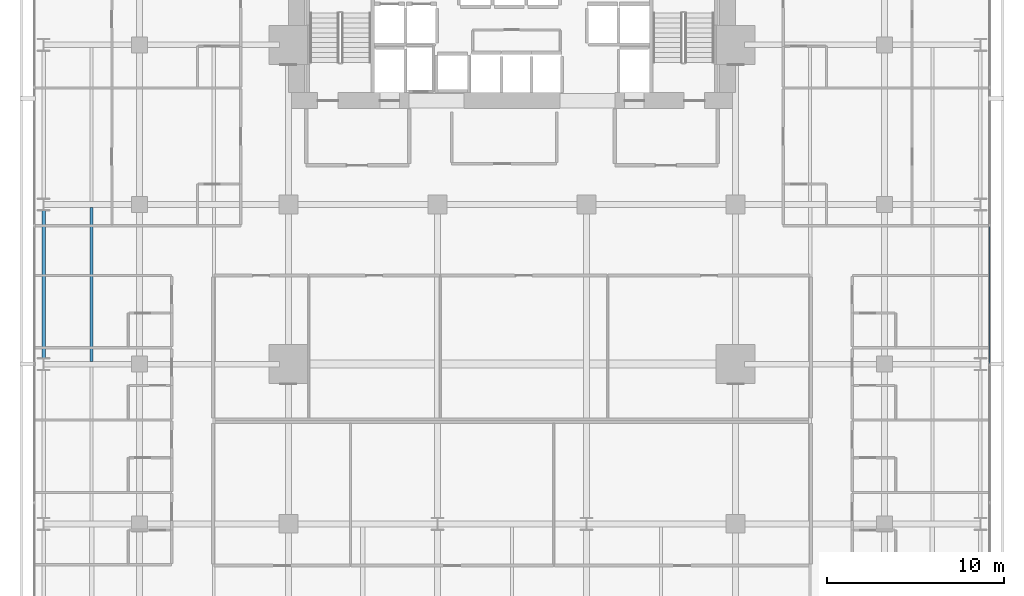
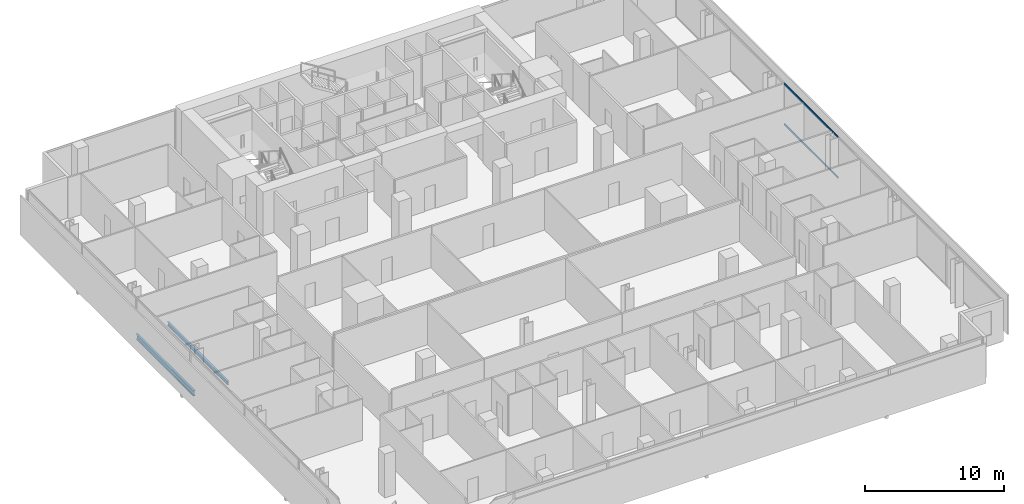
# One storey, part 20 of 40: 2 beams, 2 members, 1 element without a shape of its own.
"""IFC4 building model written with IfcOpenShell, lengths in metres."""

import ifcopenshell
import ifcopenshell.guid

model = None  # the IFC model being written
_history = None  # IfcOwnerHistory: only IFC2X3 demands one
_inside = {}  # id of a spatial element -> (the spatial element, [elements in it])
_under = {}  # id of a project, library or spatial element -> (it, [spatial elements below it])
_declared = {}  # id of a project -> (the project, [libraries it declares])
_typed = {}  # id of a type object -> (the type object, [elements of that type])
_made_of = {}  # id of a material, layer set ... -> (it, [elements and type objects made of it])


def new_model(schema):
    """Start an empty IFC model of exactly this schema.

    Asked for "IFC4X3", IfcOpenShell would pick the latest addendum, in which some entities
    have other attributes; the version numbers below select the first issue.
    IFC2X3 requires an IfcOwnerHistory on every rooted entity: one is made here for all.
    """
    global model, _history
    if schema == "IFC4X3":
        model = ifcopenshell.file(schema_version=(4, 3, 0, 0))
    else:
        model = ifcopenshell.file(schema=schema)
    _inside.clear()
    _under.clear()
    _declared.clear()
    _typed.clear()
    _made_of.clear()
    _history = None
    if model.schema == "IFC2X3":
        org = make("IfcOrganization", Name="unknown")
        user = make(
            "IfcPersonAndOrganization",
            ThePerson=make("IfcPerson", FamilyName="unknown"),
            TheOrganization=org,
        )
        app = make(
            "IfcApplication",
            ApplicationDeveloper=org,
            Version="unknown",
            ApplicationFullName="unknown",
            ApplicationIdentifier="unknown",
        )
        _history = make(
            "IfcOwnerHistory",
            OwningUser=user,
            OwningApplication=app,
            ChangeAction="ADDED",
            CreationDate=0,
        )
    return model


def make(cls, **values):
    """One entity of the class cls with the attributes given. An attribute that is None is left unset."""
    return model.create_entity(
        cls, **{name: value for name, value in values.items() if value is not None}
    )


def rooted(cls, **values):
    """An entity with a GlobalId (a new one), such as an element, a storey or a relation."""
    return make(cls, GlobalId=ifcopenshell.guid.new(), OwnerHistory=_history, **values)


def si_unit(unit_type, name, prefix=None):
    """IfcSIUnit, for example si_unit("LENGTHUNIT", "METRE", prefix="MILLI")."""
    return make("IfcSIUnit", UnitType=unit_type, Prefix=prefix, Name=name)


def assignment(units):
    """IfcUnitAssignment: the units of a project."""
    return None if units is None else make("IfcUnitAssignment", Units=units)


def point(xyz):
    """IfcCartesianPoint."""
    return None if xyz is None else make("IfcCartesianPoint", Coordinates=xyz)


def direction(xyz):
    """IfcDirection."""
    return None if xyz is None else make("IfcDirection", DirectionRatios=xyz)


def frame(location, z_axis=None, x_axis=None):
    """IfcAxis2Placement3D, a coordinate frame: its origin and axes. An axis left out is left unset."""
    return make(
        "IfcAxis2Placement3D",
        Location=point(location),
        Axis=direction(z_axis),
        RefDirection=direction(x_axis),
    )


def frame_2d(location, x_axis=None):
    """IfcAxis2Placement2D, a coordinate frame in the plane: its origin and x axis."""
    return make(
        "IfcAxis2Placement2D", Location=point(location), RefDirection=direction(x_axis)
    )


def origin():
    """The frame at (0, 0, 0) with its axes left unset."""
    return frame((0.0, 0.0, 0.0))


def origin_2d():
    """The frame at (0, 0) in the plane with its x axis left unset."""
    return frame_2d((0.0, 0.0))


def place(relative_to, where):
    """IfcLocalPlacement: puts the frame where relative to a parent placement (None: the world)."""
    return make(
        "IfcLocalPlacement", PlacementRelTo=relative_to, RelativePlacement=where
    )


def context(
    kind, dimensions, precision=None, world=None, true_north=None, identifier=None
):
    """IfcGeometricRepresentationContext, for example the 3D "Model" context."""
    return make(
        "IfcGeometricRepresentationContext",
        ContextIdentifier=identifier,
        ContextType=kind,
        CoordinateSpaceDimension=dimensions,
        Precision=precision,
        WorldCoordinateSystem=world,
        TrueNorth=true_north,
    )


def subcontext(parent, identifier, kind, view, scale=None):
    """IfcGeometricRepresentationSubContext, for example "Body" below "Model"."""
    return make(
        "IfcGeometricRepresentationSubContext",
        ContextIdentifier=identifier,
        ContextType=kind,
        ParentContext=parent,
        TargetScale=scale,
        TargetView=view,
    )


def project(units=None, contexts=None):
    """IfcProject with its units and contexts."""
    return rooted(
        "IfcProject",
        Name="project",
        RepresentationContexts=contexts,
        UnitsInContext=assignment(units),
    )


def spatial(cls, under=None, at=None, **own):
    """A site, building, storey or space (cls), placed at a placement, below another one or the project."""
    s = rooted(cls, ObjectPlacement=at, **own)
    if under is not None:
        _under.setdefault(under.id(), (under, []))[1].append(s)
    return s


def profile(cls, at=None, kind="AREA", **sizes):
    """A parametric profile (cls). Its sizes go by their IFC names, for example OverallWidth=200.0."""
    return make(cls, ProfileType=kind, Position=at, **sizes)


def hollow_rectangle(**sizes):
    """IfcRectangleHollowProfileDef."""
    return profile("IfcRectangleHollowProfileDef", **sizes)


def i_section(**sizes):
    """IfcIShapeProfileDef."""
    return profile("IfcIShapeProfileDef", **sizes)


def extrude(swept, where, along, depth):
    """IfcExtrudedAreaSolid: the profile swept, set in the frame where, extruded along a direction by depth."""
    return make(
        "IfcExtrudedAreaSolid",
        SweptArea=swept,
        Position=where,
        ExtrudedDirection=direction(along),
        Depth=depth,
    )


def shape(context_of_items, identifier, shape_type, items):
    """IfcShapeRepresentation: the items that make up one representation, for example the "Body"."""
    return make(
        "IfcShapeRepresentation",
        ContextOfItems=context_of_items,
        RepresentationIdentifier=identifier,
        RepresentationType=shape_type,
        Items=items,
    )


def material(Name=None, Category=None):
    """IfcMaterial."""
    return make("IfcMaterial", Name=Name, Category=Category)


def layer(
    of_material, thickness, ventilated=None, Name=None, Category=None, Priority=None
):
    """IfcMaterialLayer: one layer of a wall or slab, of a material (None: an air gap)."""
    return make(
        "IfcMaterialLayer",
        Material=of_material,
        LayerThickness=thickness,
        IsVentilated=ventilated,
        Name=Name,
        Category=Category,
        Priority=Priority,
    )


def layer_set(layers, Name=None):
    """IfcMaterialLayerSet."""
    return make("IfcMaterialLayerSet", MaterialLayers=layers, LayerSetName=Name)


def material_profile(
    of_material, cross_section, Name=None, Category=None, Priority=None
):
    """IfcMaterialProfile: a cross section and its material."""
    return make(
        "IfcMaterialProfile",
        Name=Name,
        Material=of_material,
        Profile=cross_section,
        Priority=Priority,
        Category=Category,
    )


def profile_set(profiles, Name=None, composite=None):
    """IfcMaterialProfileSet."""
    return make(
        "IfcMaterialProfileSet",
        Name=Name,
        MaterialProfiles=profiles,
        CompositeProfile=composite,
    )


def made_of(thing, what):
    """Note that an element or type object is made of a material, layer set ...; save() writes the relation."""
    if what is not None:
        _made_of.setdefault(what.id(), (what, []))[1].append(thing)
    return thing


def type_object(cls, material=None, **own):
    """A type object (cls), such as IfcWallType, which elements share."""
    return made_of(rooted(cls, **own), material)


def element(
    cls,
    number,
    at=None,
    inside=None,
    cuts=None,
    type_object=None,
    material=None,
    context=None,
    identifier="Body",
    shape_type=None,
    held_by="IfcProductDefinitionShape",
    body=None,
    shapes=None,
    **own,
):
    """One element of the class cls, such as IfcWall. Its Tag is "e" and its number.

    at: its placement. inside: the storey or other place that contains it. cuts: it is an
    opening in that element (IfcRelVoidsElement). A single representation is given by context,
    identifier, shape_type and body (its items); several are given by shapes. held_by: the class
    of the entity that holds the representations. save() writes the other relations.
    """
    e = rooted(cls, Tag="e%d" % number, ObjectPlacement=at, **own)
    if body is not None:
        shapes = [shape(context, identifier, shape_type, body)]
    if shapes is not None:
        e.Representation = make(held_by, Representations=shapes)
    if inside is not None:
        _inside.setdefault(inside.id(), (inside, []))[1].append(e)
    if cuts is not None:
        rooted(
            "IfcRelVoidsElement", RelatingBuildingElement=cuts, RelatedOpeningElement=e
        )
    if type_object is not None:
        _typed.setdefault(type_object.id(), (type_object, []))[1].append(e)
    return made_of(e, material)


def aggregate(whole, parts):
    """IfcRelAggregates: a whole, such as a stair, and the parts it consists of."""
    return rooted("IfcRelAggregates", RelatingObject=whole, RelatedObjects=parts)


def save(model, path):
    """Write the relations noted so far, then the file.

    IfcRelAggregates (storeys below a building ...), IfcRelContainedInSpatialStructure (elements
    in a storey), IfcRelDefinesByType, IfcRelAssociatesMaterial and IfcRelDeclares: one each for
    every whole, place, type object, material and project.
    """
    for whole, parts in _under.values():
        aggregate(whole, parts)
    for where, things in _inside.values():
        rooted(
            "IfcRelContainedInSpatialStructure",
            RelatedElements=things,
            RelatingStructure=where,
        )
    for kind, things in _typed.values():
        rooted("IfcRelDefinesByType", RelatedObjects=things, RelatingType=kind)
    for what, things in _made_of.values():
        rooted("IfcRelAssociatesMaterial", RelatedObjects=things, RelatingMaterial=what)
    for by, libraries in _declared.values():
        rooted("IfcRelDeclares", RelatingContext=by, RelatedDefinitions=libraries)
    model.write(path)


model = new_model("IFC4")

# Units and contexts
model_context = context("Model", 3, precision=1e-05, world=origin(), true_north=direction((0.0, 1.0)))
body_context = subcontext(model_context, "Body", "Model", "MODEL_VIEW")
ifc_project = project(units=[si_unit("LENGTHUNIT", "METRE"), si_unit("AREAUNIT", "SQUARE_METRE"), si_unit("VOLUMEUNIT", "CUBIC_METRE"), si_unit("PLANEANGLEUNIT", "RADIAN"), si_unit("MASSUNIT", "GRAM", prefix="KILO")], contexts=[model_context])

# Site, building, storey
site_placement = place(None, origin())
site = spatial("IfcSite", under=ifc_project, at=site_placement, CompositionType="ELEMENT")
building_placement = place(site_placement, origin())
building = spatial("IfcBuilding", under=site, at=building_placement, Name="Maruvema Waterfront Hotel and Observation Tower", CompositionType="ELEMENT")
storey_placement = place(building_placement, frame((0.0, 0.0, 53.89990234375)))
storey = spatial("IfcBuildingStorey", under=building, at=storey_placement, Name="L12", CompositionType="ELEMENT", Elevation=53.89990234375)

# Curtain wall, members
ifc_material_1 = material(Name="Anodised bronze aluminium and solar-control low-E IGU", Category="aluminium")
ifc_layer = layer(ifc_material_1, 0.159912109375, Name="Zone 1 Bronze Inner Thermal Curtain Wall System CW-02")
ifc_layer_set = layer_set([ifc_layer], Name="Anodised bronze aluminium and solar-control low-E IGU")
curtain_wall_type = type_object("IfcCurtainWallType", Name="Zone 1 Bronze Inner Thermal Curtain Wall System CW-02", PredefinedType="USERDEFINED", material=ifc_layer_set)
curtain_wall_placement = place(storey_placement, origin())
curtain_wall = element("IfcCurtainWall", 1, at=curtain_wall_placement, inside=storey, type_object=curtain_wall_type, Name="L12 Curtain Wall CW-L12-E", ObjectType="UNITISED CURTAIN WALL", PredefinedType="USERDEFINED")
ifc_material_2 = material(Name="Anodised architectural bronze aluminium", Category="aluminium")
ifc_material_profile_1 = material_profile(ifc_material_2, hollow_rectangle(XDim=0.070068359375, YDim=0.14990234375, WallThickness=0.00390625, at=origin_2d()), Name="ALU-T70x150")
ifc_profile_set_1 = profile_set([ifc_material_profile_1], Name="Anodised architectural bronze aluminium")
member_type = type_object("IfcMemberType", Name="Curtain Wall Horizontal Transom ALU-T70x150", PredefinedType="USERDEFINED", material=ifc_profile_set_1)
member_1_placement = place(storey_placement, frame((64.719970703125, 27.030029296875, 0.030029296875), z_axis=(0.0, 1.0, 0.0), x_axis=(-1.0, 0.0, 0.0)))
member_1 = element("IfcMember", 2, at=member_1_placement, type_object=member_type, Name="CW-02 transom 4.1", ObjectType="TRANSOM", PredefinedType="USERDEFINED", context=body_context, shape_type="SweptSolid", body=[
    extrude(hollow_rectangle(XDim=0.070068359375, YDim=0.14990234375, WallThickness=0.00390625, at=origin_2d()), origin(), (0.0, 0.0, 1.0), 7.739990234375),
])
member_2_placement = place(storey_placement, frame((64.719970703125, 27.030029296875, 3.580078125), z_axis=(0.0, 1.0, 0.0), x_axis=(-1.0, 0.0, 0.0)))
member_2 = element("IfcMember", 3, at=member_2_placement, type_object=member_type, Name="CW-02 transom 4.2", ObjectType="TRANSOM", PredefinedType="USERDEFINED", context=body_context, shape_type="SweptSolid", body=[
    extrude(hollow_rectangle(XDim=0.070068359375, YDim=0.14990234375, WallThickness=0.00390625, at=origin_2d()), origin(), (0.0, 0.0, 1.0), 7.739990234375),
])
aggregate(curtain_wall, [member_1, member_2])

# Beams
ifc_material_3 = material(Name="Steel ASTM A572 Grade 50", Category="steel")
ifc_material_profile_2 = material_profile(ifc_material_3, i_section(OverallWidth=0.18994140625, OverallDepth=0.45703125, WebThickness=0.009033203125, FlangeThickness=0.014404296875, FilletRadius=0.014892578125, at=origin_2d()), Name="W460x74.0")
ifc_profile_set_2 = profile_set([ifc_material_profile_2], Name="Steel ASTM A572 Grade 50")
beam_type_1 = type_object("IfcBeamType", Name="Perimeter Spandrel Beam W460x74.0", PredefinedType="SPANDREL", material=ifc_profile_set_2)
beam_1_placement = place(storey_placement, frame((11.39990234375, 27.35009765625, -0.468505859375), z_axis=(0.0, 1.0, 0.0), x_axis=(-1.0, 0.0, 0.0)))
element("IfcBeam", 4, at=beam_1_placement, inside=storey, type_object=beam_type_1, Name="L12 Floor Girder NS-03", PredefinedType="SPANDREL", context=body_context, shape_type="SweptSolid", body=[
    extrude(i_section(OverallWidth=0.18994140625, OverallDepth=0.45703125, WebThickness=0.009033203125, FlangeThickness=0.014404296875, FilletRadius=0.014892578125, at=origin_2d()), origin(), (0.0, 0.0, 1.0), 8.2998046875),
])
ifc_material_4 = material(Name="Steel ASTM A572 Grade 50", Category="steel")
ifc_material_profile_3 = material_profile(ifc_material_4, i_section(OverallWidth=0.1650390625, OverallDepth=0.31005859375, WebThickness=0.005859375, FlangeThickness=0.009765625, FilletRadius=0.012939453125, at=origin_2d()), Name="W310x38.7")
ifc_profile_set_3 = profile_set([ifc_material_profile_3], Name="Steel ASTM A572 Grade 50")
beam_type_2 = type_object("IfcBeamType", Name="Secondary Floor Joist W310x38.7", PredefinedType="JOIST", material=ifc_profile_set_3)
beam_2_placement = place(storey_placement, frame((14.10009765625, 27.16357421875, -0.39501953125), z_axis=(0.0, 1.0, 0.0), x_axis=(-1.0, 0.0, 0.0)))
element("IfcBeam", 5, at=beam_2_placement, inside=storey, type_object=beam_type_2, Name="L12 Secondary Floor Joist JS-03", PredefinedType="JOIST", context=body_context, shape_type="SweptSolid", body=[
    extrude(i_section(OverallWidth=0.1650390625, OverallDepth=0.31005859375, WebThickness=0.005859375, FlangeThickness=0.009765625, FilletRadius=0.012939453125, at=origin_2d()), origin(), (0.0, 0.0, 1.0), 8.6728515625),
])

save(model, "model.ifc")
